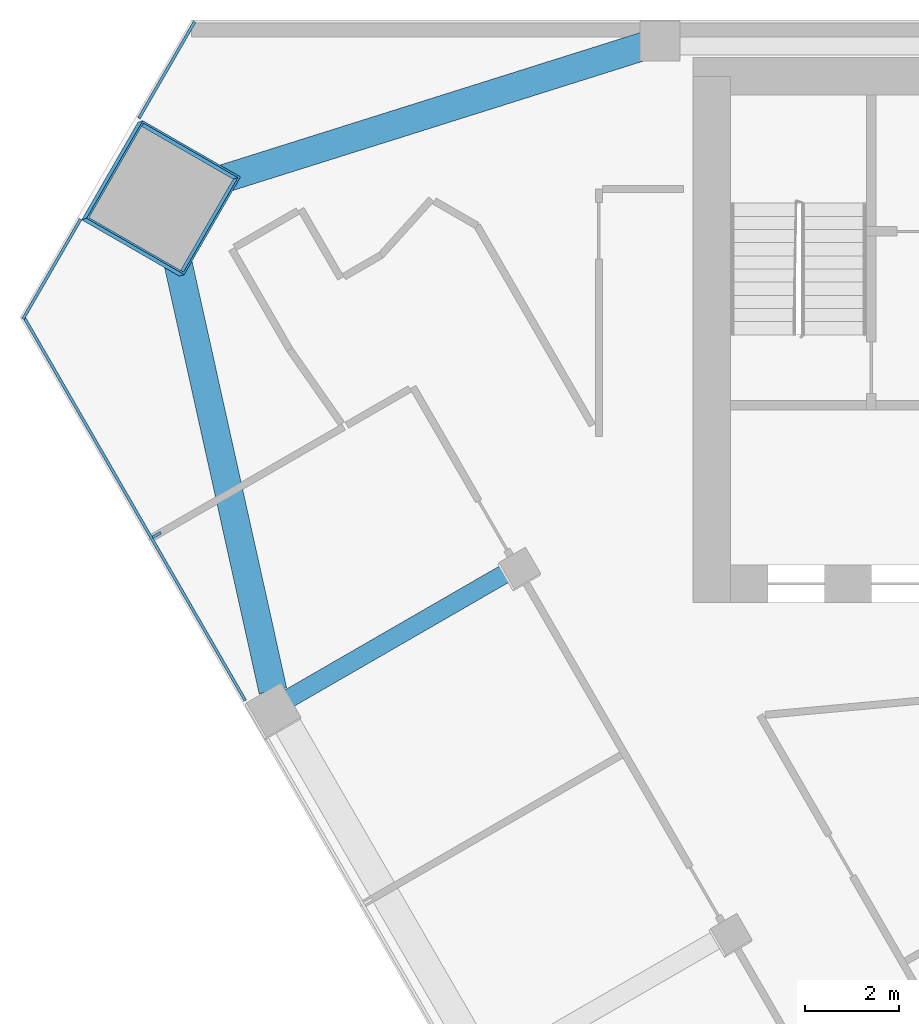
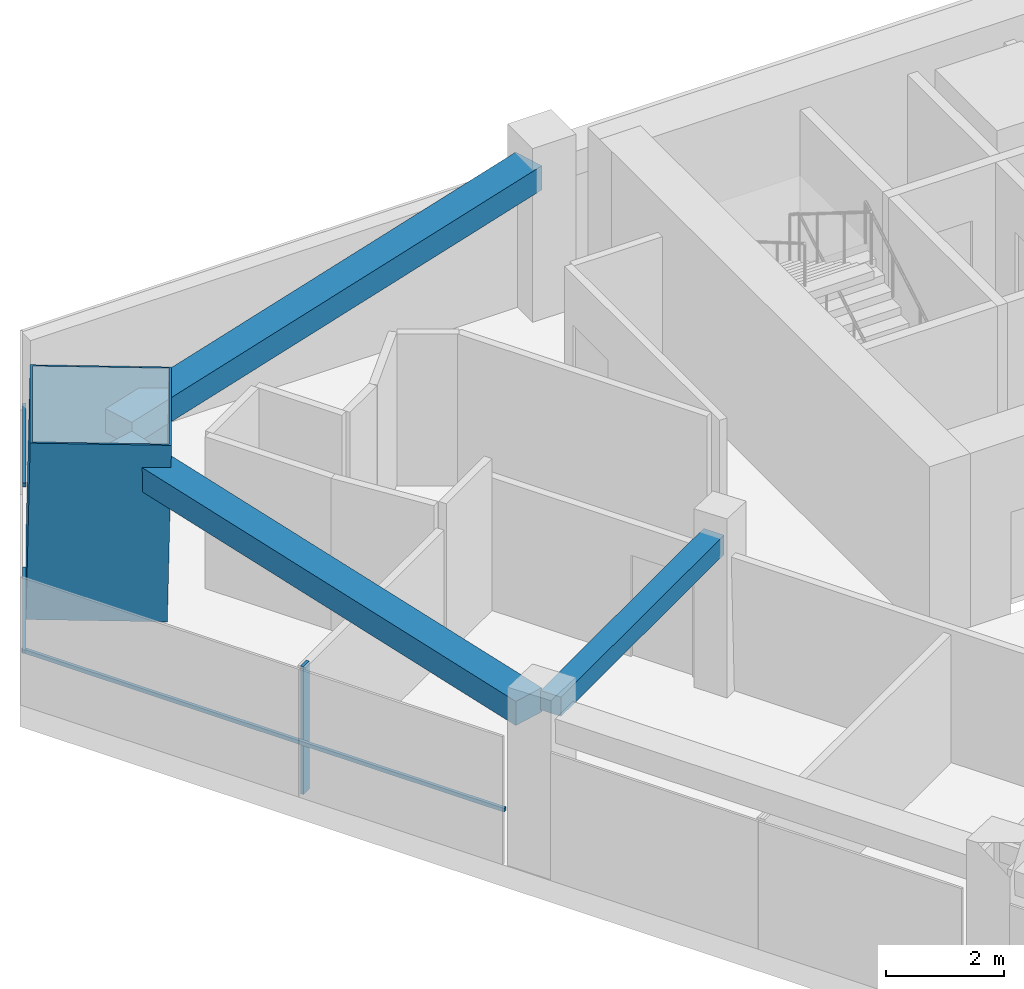
# One storey, part 5 of 13: 5 members, 3 beams, 2 elements without a shape of their own.
"""IFC4 building model written with IfcOpenShell, lengths in metres."""

from ifc_helpers import new_model, si_unit, direction, frame, origin, origin_2d, place, context, subcontext, project, spatial, rectangle, hollow_rectangle, extrude, material, layer, layer_set, material_profile, profile_set, type_object, element, aggregate, save


model = new_model("IFC4")

# Units and contexts
model_context = context("Model", 3, precision=1e-05, world=origin(), true_north=direction((0.0, 1.0)))
body_context = subcontext(model_context, "Body", "Model", "MODEL_VIEW")
ifc_project = project(units=[si_unit("LENGTHUNIT", "METRE"), si_unit("AREAUNIT", "SQUARE_METRE"), si_unit("VOLUMEUNIT", "CUBIC_METRE"), si_unit("PLANEANGLEUNIT", "RADIAN"), si_unit("MASSUNIT", "GRAM", prefix="KILO")], contexts=[model_context])

# Site, building, storey
site_placement = place(None, origin())
site = spatial("IfcSite", under=ifc_project, at=site_placement, CompositionType="ELEMENT")
building_placement = place(site_placement, origin())
building = spatial("IfcBuilding", under=site, at=building_placement, Name="Altiplano Prism Tower", CompositionType="ELEMENT")
storey_placement = place(building_placement, frame((0.0, 0.0, 153.0)))
storey = spatial("IfcBuildingStorey", under=building, at=storey_placement, Name="L39", CompositionType="ELEMENT", Elevation=153.0)

# Curtain wall, member
ifc_material_1 = material(Name="Aluminium and glass", Category="aluminium")
ifc_layer = layer(ifc_material_1, 0.303955078125)
ifc_layer_set = layer_set([ifc_layer], Name="Aluminium and glass")
curtain_wall_type = type_object("IfcCurtainWallType", Name="CW2 lounge-band unitised glazing", PredefinedType="NOTDEFINED", material=ifc_layer_set)
curtain_wall_1_placement = place(storey_placement, origin())
curtain_wall_1 = element("IfcCurtainWall", 1, at=curtain_wall_1_placement, inside=storey, type_object=curtain_wall_type, Name="CW2 curtain wall south-west face L39", PredefinedType="NOTDEFINED")
ifc_material_2 = material(Name="Aluminium", Category="aluminium")
ifc_material_profile_1 = material_profile(ifc_material_2, rectangle(XDim=0.199951171875, YDim=0.06005859375, at=origin_2d()), Name="CW2 mullion 60 x 200")
ifc_profile_set_1 = profile_set([ifc_material_profile_1], Name="Aluminium")
member_type_1 = type_object("IfcMemberType", Name="CW2 mullion 60 x 200", PredefinedType="MULLION", material=ifc_profile_set_1)
member_1_placement = place(storey_placement, frame((60.789794921875, 94.03955078125, 0.0), z_axis=(0.0, 0.0, 1.0), x_axis=(0.866025404064, 0.499999999516, 0.0)))
member_1 = element("IfcMember", 2, at=member_1_placement, type_object=member_type_1, Name="CW2 mullion", PredefinedType="MULLION", context=body_context, shape_type="SweptSolid", body=[
    extrude(rectangle(XDim=0.199951171875, YDim=0.06005859375, at=origin_2d()), origin(), (0.0, 0.0, 1.0), 2.64990234375),
])

# Curtain wall, members
curtain_wall_2_placement = place(storey_placement, origin())
curtain_wall_2 = element("IfcCurtainWall", 3, at=curtain_wall_2_placement, inside=storey, type_object=curtain_wall_type, Name="CW2 curtain wall north-west chamfer L39", PredefinedType="NOTDEFINED")
ifc_material_profile_2 = material_profile(ifc_material_2, rectangle(XDim=0.06005859375, YDim=0.080078125, at=origin_2d()), Name="CW2 transom 80 x 60")
ifc_profile_set_2 = profile_set([ifc_material_profile_2], Name="Aluminium")
member_type_2 = type_object("IfcMemberType", Name="CW2 transom 80 x 60", PredefinedType="USERDEFINED", material=ifc_profile_set_2)
member_2_placement = place(storey_placement, frame((61.596435546875, 104.962890625, 1.10009765625), z_axis=(-0.500034167395, -0.866005676331, 0.0), x_axis=(0.866005676331, -0.500034167395, 0.0)))
member_2 = element("IfcMember", 4, at=member_2_placement, type_object=member_type_2, Name="CW2 transom", ObjectType="TRANSOM", PredefinedType="USERDEFINED", context=body_context, shape_type="SweptSolid", body=[
    extrude(rectangle(XDim=0.06005859375, YDim=0.080078125, at=origin_2d()), origin(), (0.0, 0.0, 1.0), 2.372802734375),
])
member_3_placement = place(storey_placement, frame((59.169921875, 100.76025390625, 1.10009765625), z_axis=(-0.49999238347, -0.866029801145, 0.0), x_axis=(0.866029801145, -0.49999238347, 0.0)))
member_3 = element("IfcMember", 5, at=member_3_placement, type_object=member_type_2, Name="CW2 transom", ObjectType="TRANSOM", PredefinedType="USERDEFINED", context=body_context, shape_type="SweptSolid", body=[
    extrude(rectangle(XDim=0.06005859375, YDim=0.080078125, at=origin_2d()), origin(), (0.0, 0.0, 1.0), 2.453125),
])
aggregate(curtain_wall_2, [member_2, member_3])

# Member
member_4_placement = place(storey_placement, frame((57.943359375, 98.709716796875, 1.10009765625), z_axis=(0.500009793847, -0.866019749231, 0.0), x_axis=(0.866019749231, 0.500009793847, 0.0)))
member_4 = element("IfcMember", 6, at=member_4_placement, type_object=member_type_2, Name="CW2 transom", ObjectType="TRANSOM", PredefinedType="USERDEFINED", context=body_context, shape_type="SweptSolid", body=[
    extrude(rectangle(XDim=0.06005859375, YDim=0.080078125, at=origin_2d()), origin(), (0.0, 0.0, 1.0), 9.463134765625),
])

aggregate(curtain_wall_1, [member_1, member_4])

# Beams
ifc_material_3 = material(Name="Concrete C60/75", Category="concrete")
ifc_material_profile_3 = material_profile(ifc_material_3, rectangle(XDim=0.60009765625, YDim=0.5, at=origin_2d()), Name="Edge beam 600x500")
ifc_profile_set_3 = profile_set([ifc_material_profile_3], Name="Concrete C60/75")
beam_type_1 = type_object("IfcBeamType", Name="Edge beam 600x500", PredefinedType="SPANDREL", material=ifc_profile_set_3)
beam_1_placement = place(storey_placement, frame((71.189453125, 104.4521484375, 2.89990234375), z_axis=(-0.953747261575, -0.300609648944, 0.0), x_axis=(0.300609648944, -0.953747261575, 0.0)))
element("IfcBeam", 7, at=beam_1_placement, inside=storey, type_object=beam_type_1, Name="Edge beam P04-M0 L40", PredefinedType="SPANDREL", context=body_context, shape_type="SweptSolid", body=[
    extrude(rectangle(XDim=0.60009765625, YDim=0.5, at=origin_2d()), origin(), (0.0, 0.0, 1.0), 10.302978515625),
])
beam_2_placement = place(storey_placement, frame((61.03125, 100.7802734375, 2.89990234375), z_axis=(0.216539029212, -0.976273961974, 0.0), x_axis=(0.976273961974, 0.216539029212, 0.0)))
element("IfcBeam", 8, at=beam_2_placement, inside=storey, type_object=beam_type_1, Name="Edge beam M0-P11 L40", PredefinedType="SPANDREL", context=body_context, shape_type="SweptSolid", body=[
    extrude(rectangle(XDim=0.60009765625, YDim=0.5, at=origin_2d()), origin(), (0.0, 0.0, 1.0), 10.302734375),
])

# Member
ifc_material_4 = material(Name="Steel S460", Category="steel")
ifc_material_profile_4 = material_profile(ifc_material_4, hollow_rectangle(XDim=2.39990234375, YDim=2.39990234375, WallThickness=0.0400390625, at=origin_2d()), Name="Mega column tube 2400")
ifc_profile_set_4 = profile_set([ifc_material_profile_4], Name="Steel S460")
member_type_3 = type_object("IfcMemberType", Name="Mega column tube 2400", PredefinedType="POST", material=ifc_profile_set_4)
member_5_placement = place(storey_placement, frame((60.83154296875, 101.186279296875, 0.0), z_axis=(0.028401796786, 0.009286506348, 0.999553449666), x_axis=(-0.866197501375, 0.499302452977, 0.019973709278)))
element("IfcMember", 9, at=member_5_placement, inside=storey, type_object=member_type_3, Name="Mega column tube M0 L39", PredefinedType="POST", context=body_context, shape_type="SweptSolid", body=[
    extrude(hollow_rectangle(XDim=2.39990234375, YDim=2.39990234375, WallThickness=0.0400390625, at=origin_2d()), origin(), (0.0, 0.0, 1.0), 3.601806640625),
])

# Beam
ifc_material_profile_5 = material_profile(ifc_material_3, rectangle(XDim=0.39990234375, YDim=0.39990234375, at=origin_2d()), Name="Tie beam 400x400")
ifc_profile_set_5 = profile_set([ifc_material_profile_5], Name="Concrete C60/75")
beam_type_2 = type_object("IfcBeamType", Name="Tie beam 400x400", PredefinedType="BEAM", material=ifc_profile_set_5)
beam_3_placement = place(storey_placement, frame((68.394775390625, 93.326416015625, 2.949951171875), z_axis=(-0.866027073272, -0.499997108352, 0.0), x_axis=(0.499997108352, -0.866027073272, 0.0)))
element("IfcBeam", 10, at=beam_3_placement, inside=storey, type_object=beam_type_2, Name="Tie beam I11 L40", PredefinedType="BEAM", context=body_context, shape_type="SweptSolid", body=[
    extrude(rectangle(XDim=0.39990234375, YDim=0.39990234375, at=origin_2d()), origin(), (0.0, 0.0, 1.0), 5.5400390625),
])

save(model, "model.ifc")
